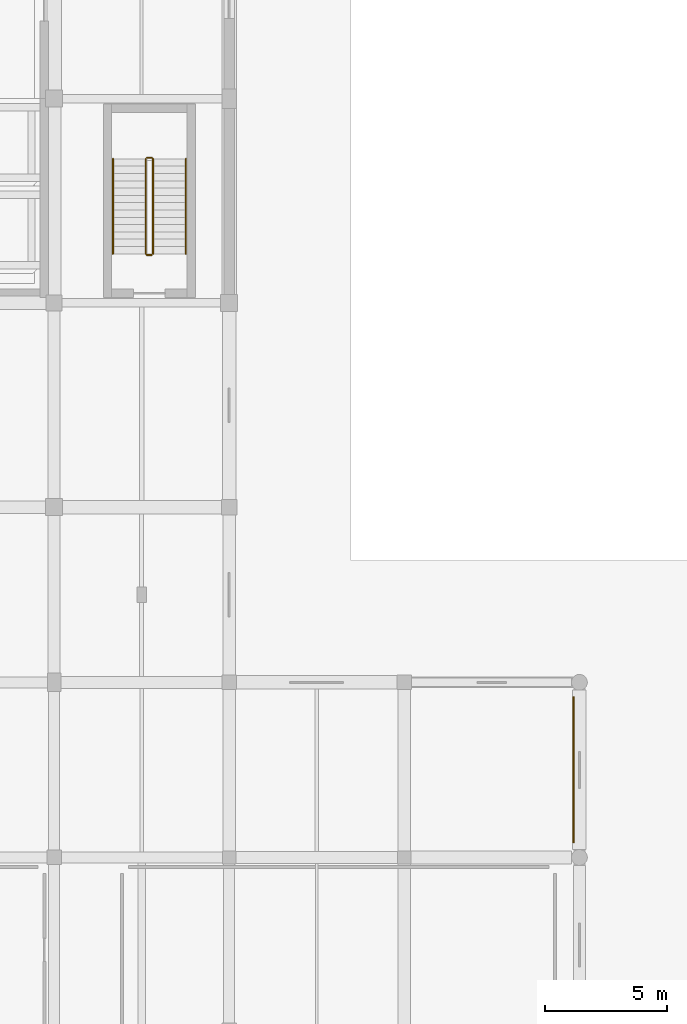
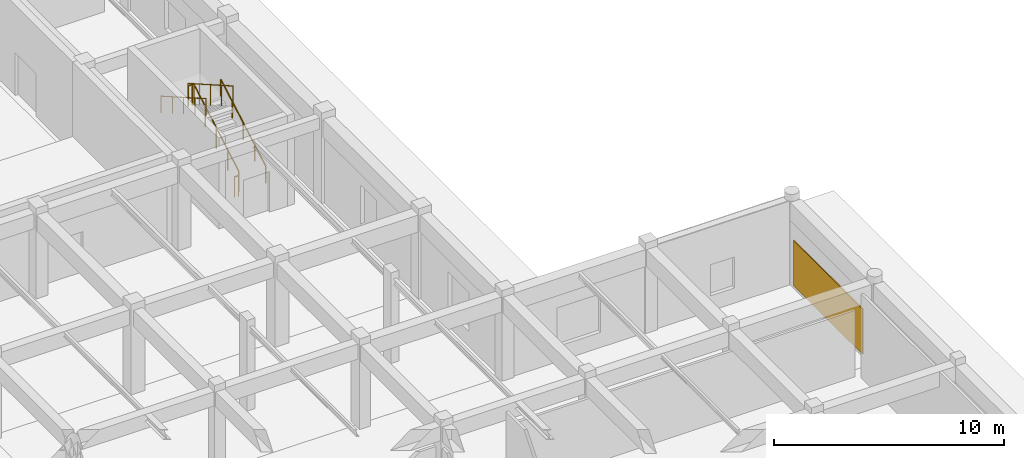
# One storey, part 71 of 72: 6 railings, 1 covering.
"""IFC4 building model written with IfcOpenShell, lengths in metres."""

from ifc_helpers import new_model, si_unit, direction, frame, origin, origin_2d, place, context, subcontext, project, spatial, rectangle, circle, extrude, material, layer, layer_set, type_object, element, save


model = new_model("IFC4")

# Units and contexts
model_context = context("Model", 3, precision=1e-05, world=origin(), true_north=direction((0.0, 1.0)))
body_context = subcontext(model_context, "Body", "Model", "MODEL_VIEW")
ifc_project = project(units=[si_unit("LENGTHUNIT", "METRE"), si_unit("AREAUNIT", "SQUARE_METRE"), si_unit("VOLUMEUNIT", "CUBIC_METRE"), si_unit("PLANEANGLEUNIT", "RADIAN"), si_unit("MASSUNIT", "GRAM", prefix="KILO")], contexts=[model_context])

# Site, building, storey
site_placement = place(None, origin())
site = spatial("IfcSite", under=ifc_project, at=site_placement, CompositionType="ELEMENT")
building_placement = place(site_placement, origin())
building = spatial("IfcBuilding", under=site, at=building_placement, Name="Korsvaeld Concert Hall", CompositionType="ELEMENT")
storey_placement = place(building_placement, origin())
storey = spatial("IfcBuildingStorey", under=building, at=storey_placement, Name="L00", CompositionType="ELEMENT", Elevation=0.0)

# Covering
ifc_material_1 = material(Name="Bornholm Nexo rose-red sandstone ashlar cladding", Category="masonry")
ifc_layer = layer(ifc_material_1, 0.050048828125)
ifc_layer_set = layer_set([ifc_layer], Name="Bornholm Nexo rose-red sandstone ashlar cladding")
covering_type = type_object("IfcCoveringType", Name="COV-CLAD-NEXO", PredefinedType="CLADDING", material=ifc_layer_set)
covering_placement = place(storey_placement, frame((167.7548828125, 32.39990234375, 0.199951171875), z_axis=(0.0, 0.0, 1.0), x_axis=(0.0, -1.0, 0.0)))
element("IfcCovering", 1, at=covering_placement, inside=storey, type_object=covering_type, Name="Ventilated Nexo sandstone colonnade cladding 099", PredefinedType="CLADDING", context=body_context, shape_type="SweptSolid", body=[
    extrude(rectangle(XDim=6.0, YDim=0.050048828125, at=origin_2d()), origin(), (0.0, 0.0, 1.0), 2.39990234375),
])

# Railings
ifc_material_2 = material(Name="Powder-coated steel and bronze stair guardrail", Category="steel")
railing_type_1 = type_object("IfcRailingType", Name="RL-STAIR-GUARD-120", PredefinedType="GUARDRAIL", material=ifc_material_2)
railing_1_placement = place(storey_placement, frame((150.469970703125, 53.6201171875, 0.17138671875)))
element("IfcRailing", 2, at=railing_1_placement, inside=storey, type_object=railing_type_1, Name="L00 ST-F4 stair guard 1", PredefinedType="GUARDRAIL", context=body_context, shape_type="SweptSolid", body=[
    extrude(circle(Radius=0.02392578125, at=origin_2d()), frame((0.0, 0.0, 1.076171875), z_axis=(0.0, 0.868243142124, 0.496138938357), x_axis=(-1.0, 0.0, 0.0)), (0.0, 0.0, 1.0), 4.49169921875),
    extrude(circle(Radius=0.02099609375, at=origin_2d()), origin(), (0.0, 0.0, 1.0), 1.052001953125),
    extrude(circle(Radius=0.02099609375, at=origin_2d()), frame((0.0, 0.97509765625, 0.55712890625)), (0.0, 0.0, 1.0), 1.052001953125),
    extrude(circle(Radius=0.02099609375, at=origin_2d()), frame((0.0, 1.949951171875, 1.1142578125)), (0.0, 0.0, 1.0), 1.052001953125),
    extrude(circle(Radius=0.02099609375, at=origin_2d()), frame((0.0, 2.9248046875, 1.67138671875)), (0.0, 0.0, 1.0), 1.052001953125),
    extrude(circle(Radius=0.02099609375, at=origin_2d()), frame((0.0, 3.89990234375, 2.228515625)), (0.0, 0.0, 1.0), 1.052001953125),
])
railing_2_placement = place(storey_placement, frame((150.419921875, 57.570068359375, 2.39990234375)))
element("IfcRailing", 3, at=railing_2_placement, inside=storey, type_object=railing_type_1, Name="L00 ST-F4 stair guard 2", PredefinedType="GUARDRAIL", context=body_context, shape_type="SweptSolid", body=[
    extrude(circle(Radius=0.02392578125, at=origin_2d()), frame((0.0, 0.0, 1.076171875), z_axis=(-1.0, 0.0, 0.0), x_axis=(0.0, -1.0, 0.0)), (0.0, 0.0, 1.0), 0.199951171875),
    extrude(circle(Radius=0.02099609375, at=origin_2d()), origin(), (0.0, 0.0, 1.0), 1.052001953125),
    extrude(circle(Radius=0.02099609375, at=origin_2d()), frame((-0.199951171875, 0.0, 0.0)), (0.0, 0.0, 1.0), 1.052001953125),
])
railing_3_placement = place(storey_placement, frame((150.169921875, 57.52001953125, 2.571533203125)))
element("IfcRailing", 4, at=railing_3_placement, inside=storey, type_object=railing_type_1, Name="L00 ST-F4 stair guard 3", PredefinedType="GUARDRAIL", context=body_context, shape_type="SweptSolid", body=[
    extrude(circle(Radius=0.02392578125, at=origin_2d()), frame((0.0, 0.0, 1.076171875), z_axis=(0.0, -0.868243142124, 0.496138938357), x_axis=(1.0, 0.0, 0.0)), (0.0, 0.0, 1.0), 4.49169921875),
    extrude(circle(Radius=0.02099609375, at=origin_2d()), origin(), (0.0, 0.0, 1.0), 1.052001953125),
    extrude(circle(Radius=0.02099609375, at=origin_2d()), frame((0.0, -0.97509765625, 0.55712890625)), (0.0, 0.0, 1.0), 1.052001953125),
    extrude(circle(Radius=0.02099609375, at=origin_2d()), frame((0.0, -1.949951171875, 1.1142578125)), (0.0, 0.0, 1.0), 1.052001953125),
    extrude(circle(Radius=0.02099609375, at=origin_2d()), frame((0.0, -2.9248046875, 1.67138671875)), (0.0, 0.0, 1.0), 1.052001953125),
    extrude(circle(Radius=0.02099609375, at=origin_2d()), frame((0.0, -3.89990234375, 2.228515625)), (0.0, 0.0, 1.0), 1.052001953125),
])
railing_4_placement = place(storey_placement, frame((150.419921875, 53.570068359375, 0.0)))
element("IfcRailing", 5, at=railing_4_placement, inside=storey, type_object=railing_type_1, Name="L00 ST-F4 stair guard 4", PredefinedType="GUARDRAIL", context=body_context, shape_type="SweptSolid", body=[
    extrude(circle(Radius=0.02392578125, at=origin_2d()), frame((0.0, 0.0, 1.076171875), z_axis=(-1.0, 0.0, 0.0), x_axis=(0.0, -1.0, 0.0)), (0.0, 0.0, 1.0), 0.199951171875),
    extrude(circle(Radius=0.02099609375, at=origin_2d()), origin(), (0.0, 0.0, 1.0), 1.052001953125),
    extrude(circle(Radius=0.02099609375, at=origin_2d()), frame((-0.199951171875, 0.0, 0.0)), (0.0, 0.0, 1.0), 1.052001953125),
])
ifc_material_3 = material(Name="European oak and bronze stair handrail")
railing_type_2 = type_object("IfcRailingType", Name="RL-STAIR-HAND-90", PredefinedType="HANDRAIL", material=ifc_material_3)
railing_5_placement = place(storey_placement, frame((151.820068359375, 53.6201171875, 0.17138671875)))
element("IfcRailing", 6, at=railing_5_placement, inside=storey, type_object=railing_type_2, Name="L00 ST-F4 stair handrail 1", PredefinedType="HANDRAIL", context=body_context, shape_type="SweptSolid", body=[
    extrude(circle(Radius=0.02392578125, at=origin_2d()), frame((0.0, 0.0, 0.8759765625), z_axis=(0.0, 0.868243142124, 0.496138938357), x_axis=(-1.0, 0.0, 0.0)), (0.0, 0.0, 1.0), 4.49169921875),
    extrude(circle(Radius=0.02099609375, at=origin_2d()), origin(), (0.0, 0.0, 1.0), 0.851806640625),
    extrude(circle(Radius=0.02099609375, at=origin_2d()), frame((0.0, 0.97509765625, 0.55712890625)), (0.0, 0.0, 1.0), 0.851806640625),
    extrude(circle(Radius=0.02099609375, at=origin_2d()), frame((0.0, 1.949951171875, 1.1142578125)), (0.0, 0.0, 1.0), 0.851806640625),
    extrude(circle(Radius=0.02099609375, at=origin_2d()), frame((0.0, 2.9248046875, 1.67138671875)), (0.0, 0.0, 1.0), 0.851806640625),
    extrude(circle(Radius=0.02099609375, at=origin_2d()), frame((0.0, 3.89990234375, 2.228515625)), (0.0, 0.0, 1.0), 0.851806640625),
])
railing_6_placement = place(storey_placement, frame((148.820068359375, 57.52001953125, 2.571533203125)))
element("IfcRailing", 7, at=railing_6_placement, inside=storey, type_object=railing_type_2, Name="L00 ST-F4 stair handrail 2", PredefinedType="HANDRAIL", context=body_context, shape_type="SweptSolid", body=[
    extrude(circle(Radius=0.02392578125, at=origin_2d()), frame((0.0, 0.0, 0.8759765625), z_axis=(0.0, -0.868243142124, 0.496138938357), x_axis=(1.0, 0.0, 0.0)), (0.0, 0.0, 1.0), 4.49169921875),
    extrude(circle(Radius=0.02099609375, at=origin_2d()), origin(), (0.0, 0.0, 1.0), 0.851806640625),
    extrude(circle(Radius=0.02099609375, at=origin_2d()), frame((0.0, -0.97509765625, 0.55712890625)), (0.0, 0.0, 1.0), 0.851806640625),
    extrude(circle(Radius=0.02099609375, at=origin_2d()), frame((0.0, -1.949951171875, 1.1142578125)), (0.0, 0.0, 1.0), 0.851806640625),
    extrude(circle(Radius=0.02099609375, at=origin_2d()), frame((0.0, -2.9248046875, 1.67138671875)), (0.0, 0.0, 1.0), 0.851806640625),
    extrude(circle(Radius=0.02099609375, at=origin_2d()), frame((0.0, -3.89990234375, 2.228515625)), (0.0, 0.0, 1.0), 0.851806640625),
])

save(model, "model.ifc")
